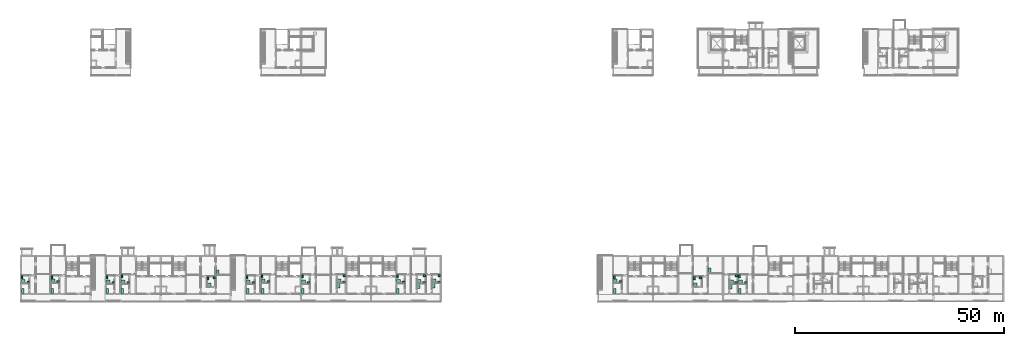
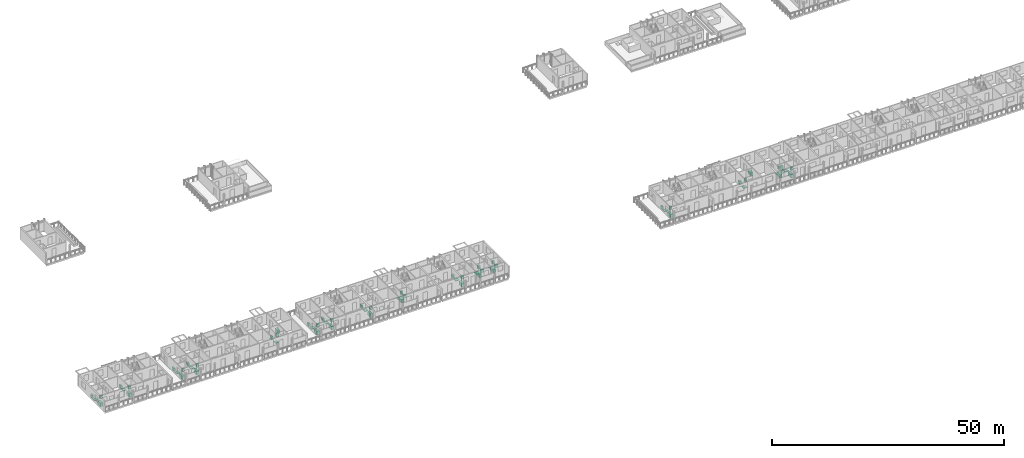
# One storey, part 77 of 78: 64 sanitary terminals.
"""IFC4 building model written with IfcOpenShell, lengths in metres."""

from ifc_helpers import new_model, si_unit, direction, frame, origin, origin_2d, place, context, subcontext, project, spatial, rectangle, extrude, element, save


model = new_model("IFC4")

# Units and contexts
model_context = context("Model", 3, precision=1e-05, world=origin(), true_north=direction((0.0, 1.0)))
body_context = subcontext(model_context, "Body", "Model", "MODEL_VIEW")
ifc_project = project(units=[si_unit("LENGTHUNIT", "METRE"), si_unit("AREAUNIT", "SQUARE_METRE"), si_unit("VOLUMEUNIT", "CUBIC_METRE"), si_unit("PLANEANGLEUNIT", "RADIAN"), si_unit("MASSUNIT", "GRAM", prefix="KILO")], contexts=[model_context])

# Site, building, storey
site_placement = place(None, origin())
site = spatial("IfcSite", under=ifc_project, at=site_placement, CompositionType="ELEMENT")
building_placement = place(site_placement, origin())
building = spatial("IfcBuilding", under=site, at=building_placement, Name="Ridgestep Commons", CompositionType="ELEMENT")
storey_placement = place(building_placement, frame((0.0, 0.0, 30.0)))
storey = spatial("IfcBuildingStorey", under=building, at=storey_placement, Name="L10", CompositionType="ELEMENT", Elevation=30.0)

# Sanitary terminals
sanitary_terminal_1_placement = place(storey_placement, frame((12.60009765625, 16.7099609375, 0.0), z_axis=(0.0, 0.0, 1.0), x_axis=(1.0, 0.0, 0.0)))
element("IfcSanitaryTerminal", 1, at=sanitary_terminal_1_placement, inside=storey, Name="Shower tray A1-10a", PredefinedType="SHOWER", context=body_context, shape_type="SweptSolid", body=[
    extrude(rectangle(XDim=0.89990234375, YDim=0.89990234375, at=origin_2d()), origin(), (0.0, 0.0, 1.0), 0.10009765625),
])
sanitary_terminal_2_placement = place(storey_placement, frame((12.35009765625, 17.699951171875, 0.0), z_axis=(0.0, 0.0, 1.0), x_axis=(1.0, 0.0, 0.0)))
element("IfcSanitaryTerminal", 2, at=sanitary_terminal_2_placement, inside=storey, Name="WC A1-10a", PredefinedType="TOILETPAN", context=body_context, shape_type="SweptSolid", body=[
    extrude(rectangle(XDim=0.39990234375, YDim=0.699951171875, at=origin_2d()), origin(), (0.0, 0.0, 1.0), 0.800048828125),
])
sanitary_terminal_3_placement = place(storey_placement, frame((13.81494140625, 16.485107421875, 0.0), z_axis=(0.0, 0.0, 1.0), x_axis=(1.0, 0.0, 0.0)))
element("IfcSanitaryTerminal", 3, at=sanitary_terminal_3_placement, inside=storey, Name="Basin A1-10a", PredefinedType="WASHHANDBASIN", context=body_context, shape_type="SweptSolid", body=[
    extrude(rectangle(XDim=0.550048828125, YDim=0.449951171875, at=origin_2d()), origin(), (0.0, 0.0, 1.0), 0.85009765625),
])
sanitary_terminal_4_placement = place(storey_placement, frame((12.449951171875, 14.35009765625, 0.0), z_axis=(0.0, 0.0, 1.0), x_axis=(1.0, 0.0, 0.0)))
element("IfcSanitaryTerminal", 4, at=sanitary_terminal_4_placement, inside=storey, Name="Kitchen sink A1-10a", PredefinedType="SINK", context=body_context, shape_type="SweptSolid", body=[
    extrude(rectangle(XDim=0.60009765625, YDim=1.199951171875, at=origin_2d()), origin(), (0.0, 0.0, 1.0), 0.89990234375),
])
sanitary_terminal_5_placement = place(storey_placement, frame((19.75, 16.81005859375, 0.0), z_axis=(0.0, 0.0, 1.0), x_axis=(1.0, 0.0, 0.0)))
element("IfcSanitaryTerminal", 5, at=sanitary_terminal_5_placement, inside=storey, Name="Shower tray A1-10b", PredefinedType="SHOWER", context=body_context, shape_type="SweptSolid", body=[
    extrude(rectangle(XDim=0.89990234375, YDim=0.89990234375, at=origin_2d()), origin(), (0.0, 0.0, 1.0), 0.10009765625),
])
sanitary_terminal_6_placement = place(storey_placement, frame((19.5, 17.699951171875, 0.0), z_axis=(0.0, 0.0, 1.0), x_axis=(1.0, 0.0, 0.0)))
element("IfcSanitaryTerminal", 6, at=sanitary_terminal_6_placement, inside=storey, Name="WC A1-10b", PredefinedType="TOILETPAN", context=body_context, shape_type="SweptSolid", body=[
    extrude(rectangle(XDim=0.39990234375, YDim=0.699951171875, at=origin_2d()), origin(), (0.0, 0.0, 1.0), 0.800048828125),
])
sanitary_terminal_7_placement = place(storey_placement, frame((20.989990234375, 16.5849609375, 0.0), z_axis=(0.0, 0.0, 1.0), x_axis=(1.0, 0.0, 0.0)))
element("IfcSanitaryTerminal", 7, at=sanitary_terminal_7_placement, inside=storey, Name="Basin A1-10b", PredefinedType="WASHHANDBASIN", context=body_context, shape_type="SweptSolid", body=[
    extrude(rectangle(XDim=0.550048828125, YDim=0.449951171875, at=origin_2d()), origin(), (0.0, 0.0, 1.0), 0.85009765625),
])
sanitary_terminal_8_placement = place(storey_placement, frame((19.60009765625, 14.35009765625, 0.0), z_axis=(0.0, 0.0, 1.0), x_axis=(1.0, 0.0, 0.0)))
element("IfcSanitaryTerminal", 8, at=sanitary_terminal_8_placement, inside=storey, Name="Kitchen sink A1-10b", PredefinedType="SINK", context=body_context, shape_type="SweptSolid", body=[
    extrude(rectangle(XDim=0.60009765625, YDim=1.199951171875, at=origin_2d()), origin(), (0.0, 0.0, 1.0), 0.89990234375),
])
sanitary_terminal_9_placement = place(storey_placement, frame((32.949951171875, 16.610107421875, 0.0), z_axis=(0.0, 0.0, 1.0), x_axis=(1.0, 0.0, 0.0)))
element("IfcSanitaryTerminal", 9, at=sanitary_terminal_9_placement, inside=storey, Name="Shower tray A2-10a", PredefinedType="SHOWER", context=body_context, shape_type="SweptSolid", body=[
    extrude(rectangle(XDim=0.89990234375, YDim=0.89990234375, at=origin_2d()), origin(), (0.0, 0.0, 1.0), 0.10009765625),
])
sanitary_terminal_10_placement = place(storey_placement, frame((32.699951171875, 17.699951171875, 0.0), z_axis=(0.0, 0.0, 1.0), x_axis=(1.0, 0.0, 0.0)))
element("IfcSanitaryTerminal", 10, at=sanitary_terminal_10_placement, inside=storey, Name="WC A2-10a", PredefinedType="TOILETPAN", context=body_context, shape_type="SweptSolid", body=[
    extrude(rectangle(XDim=0.39990234375, YDim=0.699951171875, at=origin_2d()), origin(), (0.0, 0.0, 1.0), 0.800048828125),
])
sanitary_terminal_11_placement = place(storey_placement, frame((34.215087890625, 16.385009765625, 0.0), z_axis=(0.0, 0.0, 1.0), x_axis=(1.0, 0.0, 0.0)))
element("IfcSanitaryTerminal", 11, at=sanitary_terminal_11_placement, inside=storey, Name="Basin A2-10a", PredefinedType="WASHHANDBASIN", context=body_context, shape_type="SweptSolid", body=[
    extrude(rectangle(XDim=0.550048828125, YDim=0.449951171875, at=origin_2d()), origin(), (0.0, 0.0, 1.0), 0.85009765625),
])
sanitary_terminal_12_placement = place(storey_placement, frame((32.800048828125, 14.35009765625, 0.0), z_axis=(0.0, 0.0, 1.0), x_axis=(1.0, 0.0, 0.0)))
element("IfcSanitaryTerminal", 12, at=sanitary_terminal_12_placement, inside=storey, Name="Kitchen sink A2-10a", PredefinedType="SINK", context=body_context, shape_type="SweptSolid", body=[
    extrude(rectangle(XDim=0.60009765625, YDim=1.199951171875, at=origin_2d()), origin(), (0.0, 0.0, 1.0), 0.89990234375),
])
sanitary_terminal_13_placement = place(storey_placement, frame((36.550048828125, 16.610107421875, 0.0), z_axis=(0.0, 0.0, 1.0), x_axis=(1.0, 0.0, 0.0)))
element("IfcSanitaryTerminal", 13, at=sanitary_terminal_13_placement, inside=storey, Name="Shower tray A2-10b", PredefinedType="SHOWER", context=body_context, shape_type="SweptSolid", body=[
    extrude(rectangle(XDim=0.89990234375, YDim=0.89990234375, at=origin_2d()), origin(), (0.0, 0.0, 1.0), 0.10009765625),
])
sanitary_terminal_14_placement = place(storey_placement, frame((36.300048828125, 17.89990234375, 0.0), z_axis=(0.0, 0.0, 1.0), x_axis=(1.0, 0.0, 0.0)))
element("IfcSanitaryTerminal", 14, at=sanitary_terminal_14_placement, inside=storey, Name="WC A2-10b", PredefinedType="TOILETPAN", context=body_context, shape_type="SweptSolid", body=[
    extrude(rectangle(XDim=0.39990234375, YDim=0.699951171875, at=origin_2d()), origin(), (0.0, 0.0, 1.0), 0.800048828125),
])
sanitary_terminal_15_placement = place(storey_placement, frame((37.7900390625, 16.385009765625, 0.0), z_axis=(0.0, 0.0, 1.0), x_axis=(1.0, 0.0, 0.0)))
element("IfcSanitaryTerminal", 15, at=sanitary_terminal_15_placement, inside=storey, Name="Basin A2-10b", PredefinedType="WASHHANDBASIN", context=body_context, shape_type="SweptSolid", body=[
    extrude(rectangle(XDim=0.550048828125, YDim=0.449951171875, at=origin_2d()), origin(), (0.0, 0.0, 1.0), 0.85009765625),
])
sanitary_terminal_16_placement = place(storey_placement, frame((36.39990234375, 14.35009765625, 0.0), z_axis=(0.0, 0.0, 1.0), x_axis=(1.0, 0.0, 0.0)))
element("IfcSanitaryTerminal", 16, at=sanitary_terminal_16_placement, inside=storey, Name="Kitchen sink A2-10b", PredefinedType="SINK", context=body_context, shape_type="SweptSolid", body=[
    extrude(rectangle(XDim=0.60009765625, YDim=1.199951171875, at=origin_2d()), origin(), (0.0, 0.0, 1.0), 0.89990234375),
])
sanitary_terminal_17_placement = place(storey_placement, frame((57.159912109375, 15.860107421875, 0.0), z_axis=(0.0, 0.0, 1.0), x_axis=(1.0, 0.0, 0.0)))
element("IfcSanitaryTerminal", 17, at=sanitary_terminal_17_placement, inside=storey, Name="Shower tray A3-10a", PredefinedType="SHOWER", context=body_context, shape_type="SweptSolid", body=[
    extrude(rectangle(XDim=0.89990234375, YDim=0.89990234375, at=origin_2d()), origin(), (0.0, 0.0, 1.0), 0.10009765625),
])
sanitary_terminal_18_placement = place(storey_placement, frame((56.909912109375, 17.4599609375, 0.0), z_axis=(0.0, 0.0, 1.0), x_axis=(1.0, 0.0, 0.0)))
element("IfcSanitaryTerminal", 18, at=sanitary_terminal_18_placement, inside=storey, Name="WC A3-10a", PredefinedType="TOILETPAN", context=body_context, shape_type="SweptSolid", body=[
    extrude(rectangle(XDim=0.39990234375, YDim=0.699951171875, at=origin_2d()), origin(), (0.0, 0.0, 1.0), 0.800048828125),
])
sanitary_terminal_19_placement = place(storey_placement, frame((58.425048828125, 17.5849609375, 0.0), z_axis=(0.0, 0.0, 1.0), x_axis=(1.0, 0.0, 0.0)))
element("IfcSanitaryTerminal", 19, at=sanitary_terminal_19_placement, inside=storey, Name="Basin A3-10a", PredefinedType="WASHHANDBASIN", context=body_context, shape_type="SweptSolid", body=[
    extrude(rectangle(XDim=0.550048828125, YDim=0.449951171875, at=origin_2d()), origin(), (0.0, 0.0, 1.0), 0.85009765625),
])
sanitary_terminal_20_placement = place(storey_placement, frame((59.199951171875, 18.860107421875, 0.0), z_axis=(0.0, 0.0, 1.0), x_axis=(1.0, 0.0, 0.0)))
element("IfcSanitaryTerminal", 20, at=sanitary_terminal_20_placement, inside=storey, Name="Kitchen sink A3-10a", PredefinedType="SINK", context=body_context, shape_type="SweptSolid", body=[
    extrude(rectangle(XDim=0.60009765625, YDim=1.199951171875, at=origin_2d()), origin(), (0.0, 0.0, 1.0), 0.89990234375),
])
sanitary_terminal_21_placement = place(storey_placement, frame((66.550048828125, 16.610107421875, 0.0), z_axis=(0.0, 0.0, 1.0), x_axis=(1.0, 0.0, 0.0)))
element("IfcSanitaryTerminal", 21, at=sanitary_terminal_21_placement, inside=storey, Name="Shower tray A4-10a", PredefinedType="SHOWER", context=body_context, shape_type="SweptSolid", body=[
    extrude(rectangle(XDim=0.89990234375, YDim=0.89990234375, at=origin_2d()), origin(), (0.0, 0.0, 1.0), 0.10009765625),
])
sanitary_terminal_22_placement = place(storey_placement, frame((66.300048828125, 17.699951171875, 0.0), z_axis=(0.0, 0.0, 1.0), x_axis=(1.0, 0.0, 0.0)))
element("IfcSanitaryTerminal", 22, at=sanitary_terminal_22_placement, inside=storey, Name="WC A4-10a", PredefinedType="TOILETPAN", context=body_context, shape_type="SweptSolid", body=[
    extrude(rectangle(XDim=0.39990234375, YDim=0.699951171875, at=origin_2d()), origin(), (0.0, 0.0, 1.0), 0.800048828125),
])
sanitary_terminal_23_placement = place(storey_placement, frame((67.81494140625, 16.385009765625, 0.0), z_axis=(0.0, 0.0, 1.0), x_axis=(1.0, 0.0, 0.0)))
element("IfcSanitaryTerminal", 23, at=sanitary_terminal_23_placement, inside=storey, Name="Basin A4-10a", PredefinedType="WASHHANDBASIN", context=body_context, shape_type="SweptSolid", body=[
    extrude(rectangle(XDim=0.550048828125, YDim=0.449951171875, at=origin_2d()), origin(), (0.0, 0.0, 1.0), 0.85009765625),
])
sanitary_terminal_24_placement = place(storey_placement, frame((66.39990234375, 14.35009765625, 0.0), z_axis=(0.0, 0.0, 1.0), x_axis=(1.0, 0.0, 0.0)))
element("IfcSanitaryTerminal", 24, at=sanitary_terminal_24_placement, inside=storey, Name="Kitchen sink A4-10a", PredefinedType="SINK", context=body_context, shape_type="SweptSolid", body=[
    extrude(rectangle(XDim=0.60009765625, YDim=1.199951171875, at=origin_2d()), origin(), (0.0, 0.0, 1.0), 0.89990234375),
])
sanitary_terminal_25_placement = place(storey_placement, frame((70.14990234375, 16.81005859375, 0.0), z_axis=(0.0, 0.0, 1.0), x_axis=(1.0, 0.0, 0.0)))
element("IfcSanitaryTerminal", 25, at=sanitary_terminal_25_placement, inside=storey, Name="Shower tray A4-10b", PredefinedType="SHOWER", context=body_context, shape_type="SweptSolid", body=[
    extrude(rectangle(XDim=0.89990234375, YDim=0.89990234375, at=origin_2d()), origin(), (0.0, 0.0, 1.0), 0.10009765625),
])
sanitary_terminal_26_placement = place(storey_placement, frame((69.89990234375, 17.89990234375, 0.0), z_axis=(0.0, 0.0, 1.0), x_axis=(1.0, 0.0, 0.0)))
element("IfcSanitaryTerminal", 26, at=sanitary_terminal_26_placement, inside=storey, Name="WC A4-10b", PredefinedType="TOILETPAN", context=body_context, shape_type="SweptSolid", body=[
    extrude(rectangle(XDim=0.39990234375, YDim=0.699951171875, at=origin_2d()), origin(), (0.0, 0.0, 1.0), 0.800048828125),
])
sanitary_terminal_27_placement = place(storey_placement, frame((71.389892578125, 16.5849609375, 0.0), z_axis=(0.0, 0.0, 1.0), x_axis=(1.0, 0.0, 0.0)))
element("IfcSanitaryTerminal", 27, at=sanitary_terminal_27_placement, inside=storey, Name="Basin A4-10b", PredefinedType="WASHHANDBASIN", context=body_context, shape_type="SweptSolid", body=[
    extrude(rectangle(XDim=0.550048828125, YDim=0.449951171875, at=origin_2d()), origin(), (0.0, 0.0, 1.0), 0.85009765625),
])
sanitary_terminal_28_placement = place(storey_placement, frame((70.0, 14.35009765625, 0.0), z_axis=(0.0, 0.0, 1.0), x_axis=(1.0, 0.0, 0.0)))
element("IfcSanitaryTerminal", 28, at=sanitary_terminal_28_placement, inside=storey, Name="Kitchen sink A4-10b", PredefinedType="SINK", context=body_context, shape_type="SweptSolid", body=[
    extrude(rectangle(XDim=0.60009765625, YDim=1.199951171875, at=origin_2d()), origin(), (0.0, 0.0, 1.0), 0.89990234375),
])
sanitary_terminal_29_placement = place(storey_placement, frame((79.800048828125, 16.610107421875, 0.0), z_axis=(0.0, 0.0, 1.0), x_axis=(1.0, 0.0, 0.0)))
element("IfcSanitaryTerminal", 29, at=sanitary_terminal_29_placement, inside=storey, Name="Shower tray A5-10a", PredefinedType="SHOWER", context=body_context, shape_type="SweptSolid", body=[
    extrude(rectangle(XDim=0.89990234375, YDim=0.89990234375, at=origin_2d()), origin(), (0.0, 0.0, 1.0), 0.10009765625),
])
sanitary_terminal_30_placement = place(storey_placement, frame((79.550048828125, 17.89990234375, 0.0), z_axis=(0.0, 0.0, 1.0), x_axis=(1.0, 0.0, 0.0)))
element("IfcSanitaryTerminal", 30, at=sanitary_terminal_30_placement, inside=storey, Name="WC A5-10a", PredefinedType="TOILETPAN", context=body_context, shape_type="SweptSolid", body=[
    extrude(rectangle(XDim=0.39990234375, YDim=0.699951171875, at=origin_2d()), origin(), (0.0, 0.0, 1.0), 0.800048828125),
])
sanitary_terminal_31_placement = place(storey_placement, frame((81.014892578125, 16.385009765625, 0.0), z_axis=(0.0, 0.0, 1.0), x_axis=(1.0, 0.0, 0.0)))
element("IfcSanitaryTerminal", 31, at=sanitary_terminal_31_placement, inside=storey, Name="Basin A5-10a", PredefinedType="WASHHANDBASIN", context=body_context, shape_type="SweptSolid", body=[
    extrude(rectangle(XDim=0.550048828125, YDim=0.449951171875, at=origin_2d()), origin(), (0.0, 0.0, 1.0), 0.85009765625),
])
sanitary_terminal_32_placement = place(storey_placement, frame((79.64990234375, 14.35009765625, 0.0), z_axis=(0.0, 0.0, 1.0), x_axis=(1.0, 0.0, 0.0)))
element("IfcSanitaryTerminal", 32, at=sanitary_terminal_32_placement, inside=storey, Name="Kitchen sink A5-10a", PredefinedType="SINK", context=body_context, shape_type="SweptSolid", body=[
    extrude(rectangle(XDim=0.60009765625, YDim=1.199951171875, at=origin_2d()), origin(), (0.0, 0.0, 1.0), 0.89990234375),
])
sanitary_terminal_33_placement = place(storey_placement, frame((88.360107421875, 16.81005859375, 0.0), z_axis=(0.0, 0.0, 1.0), x_axis=(1.0, 0.0, 0.0)))
element("IfcSanitaryTerminal", 33, at=sanitary_terminal_33_placement, inside=storey, Name="Shower tray A5-10b", PredefinedType="SHOWER", context=body_context, shape_type="SweptSolid", body=[
    extrude(rectangle(XDim=0.89990234375, YDim=0.89990234375, at=origin_2d()), origin(), (0.0, 0.0, 1.0), 0.10009765625),
])
sanitary_terminal_34_placement = place(storey_placement, frame((89.52490234375, 16.56005859375, 0.0), z_axis=(0.0, 0.0, 1.0), x_axis=(1.0, 0.0, 0.0)))
element("IfcSanitaryTerminal", 34, at=sanitary_terminal_34_placement, inside=storey, Name="WC A5-10b", PredefinedType="TOILETPAN", context=body_context, shape_type="SweptSolid", body=[
    extrude(rectangle(XDim=0.699951171875, YDim=0.39990234375, at=origin_2d()), origin(), (0.0, 0.0, 1.0), 0.800048828125),
])
sanitary_terminal_35_placement = place(storey_placement, frame((89.60009765625, 18.02490234375, 0.0), z_axis=(0.0, 0.0, 1.0), x_axis=(1.0, 0.0, 0.0)))
element("IfcSanitaryTerminal", 35, at=sanitary_terminal_35_placement, inside=storey, Name="Basin A5-10b", PredefinedType="WASHHANDBASIN", context=body_context, shape_type="SweptSolid", body=[
    extrude(rectangle(XDim=0.550048828125, YDim=0.449951171875, at=origin_2d()), origin(), (0.0, 0.0, 1.0), 0.85009765625),
])
sanitary_terminal_36_placement = place(storey_placement, frame((88.2099609375, 15.64990234375, 0.0), z_axis=(0.0, 0.0, 1.0), x_axis=(1.0, 0.0, 0.0)))
element("IfcSanitaryTerminal", 36, at=sanitary_terminal_36_placement, inside=storey, Name="Kitchen sink A5-10b", PredefinedType="SINK", context=body_context, shape_type="SweptSolid", body=[
    extrude(rectangle(XDim=0.60009765625, YDim=1.199951171875, at=origin_2d()), origin(), (0.0, 0.0, 1.0), 0.89990234375),
])
sanitary_terminal_37_placement = place(storey_placement, frame((111.159912109375, 16.81005859375, 0.0), z_axis=(0.0, 0.0, 1.0), x_axis=(1.0, 0.0, 0.0)))
element("IfcSanitaryTerminal", 37, at=sanitary_terminal_37_placement, inside=storey, Name="Shower tray A6-10a", PredefinedType="SHOWER", context=body_context, shape_type="SweptSolid", body=[
    extrude(rectangle(XDim=0.89990234375, YDim=0.89990234375, at=origin_2d()), origin(), (0.0, 0.0, 1.0), 0.10009765625),
])
sanitary_terminal_38_placement = place(storey_placement, frame((112.300048828125, 16.56005859375, 0.0), z_axis=(0.0, 0.0, 1.0), x_axis=(1.0, 0.0, 0.0)))
element("IfcSanitaryTerminal", 38, at=sanitary_terminal_38_placement, inside=storey, Name="WC A6-10a", PredefinedType="TOILETPAN", context=body_context, shape_type="SweptSolid", body=[
    extrude(rectangle(XDim=0.699951171875, YDim=0.39990234375, at=origin_2d()), origin(), (0.0, 0.0, 1.0), 0.800048828125),
])
sanitary_terminal_39_placement = place(storey_placement, frame((112.375, 18.02490234375, 0.0), z_axis=(0.0, 0.0, 1.0), x_axis=(1.0, 0.0, 0.0)))
element("IfcSanitaryTerminal", 39, at=sanitary_terminal_39_placement, inside=storey, Name="Basin A6-10a", PredefinedType="WASHHANDBASIN", context=body_context, shape_type="SweptSolid", body=[
    extrude(rectangle(XDim=0.550048828125, YDim=0.449951171875, at=origin_2d()), origin(), (0.0, 0.0, 1.0), 0.85009765625),
])
sanitary_terminal_40_placement = place(storey_placement, frame((111.010009765625, 15.64990234375, 0.0), z_axis=(0.0, 0.0, 1.0), x_axis=(1.0, 0.0, 0.0)))
element("IfcSanitaryTerminal", 40, at=sanitary_terminal_40_placement, inside=storey, Name="Kitchen sink A6-10a", PredefinedType="SINK", context=body_context, shape_type="SweptSolid", body=[
    extrude(rectangle(XDim=0.60009765625, YDim=1.199951171875, at=origin_2d()), origin(), (0.0, 0.0, 1.0), 0.89990234375),
])
sanitary_terminal_41_placement = place(storey_placement, frame((107.56005859375, 16.7099609375, 0.0), z_axis=(0.0, 0.0, 1.0), x_axis=(1.0, 0.0, 0.0)))
element("IfcSanitaryTerminal", 41, at=sanitary_terminal_41_placement, inside=storey, Name="Shower tray A6-10b", PredefinedType="SHOWER", context=body_context, shape_type="SweptSolid", body=[
    extrude(rectangle(XDim=0.89990234375, YDim=0.89990234375, at=origin_2d()), origin(), (0.0, 0.0, 1.0), 0.10009765625),
])
sanitary_terminal_42_placement = place(storey_placement, frame((108.75, 16.4599609375, 0.0), z_axis=(0.0, 0.0, 1.0), x_axis=(1.0, 0.0, 0.0)))
element("IfcSanitaryTerminal", 42, at=sanitary_terminal_42_placement, inside=storey, Name="WC A6-10b", PredefinedType="TOILETPAN", context=body_context, shape_type="SweptSolid", body=[
    extrude(rectangle(XDim=0.699951171875, YDim=0.39990234375, at=origin_2d()), origin(), (0.0, 0.0, 1.0), 0.800048828125),
])
sanitary_terminal_43_placement = place(storey_placement, frame((108.824951171875, 18.02490234375, 0.0), z_axis=(0.0, 0.0, 1.0), x_axis=(1.0, 0.0, 0.0)))
element("IfcSanitaryTerminal", 43, at=sanitary_terminal_43_placement, inside=storey, Name="Basin A6-10b", PredefinedType="WASHHANDBASIN", context=body_context, shape_type="SweptSolid", body=[
    extrude(rectangle(XDim=0.550048828125, YDim=0.449951171875, at=origin_2d()), origin(), (0.0, 0.0, 1.0), 0.85009765625),
])
sanitary_terminal_44_placement = place(storey_placement, frame((107.409912109375, 15.550048828125, 0.0), z_axis=(0.0, 0.0, 1.0), x_axis=(1.0, 0.0, 0.0)))
element("IfcSanitaryTerminal", 44, at=sanitary_terminal_44_placement, inside=storey, Name="Kitchen sink A6-10b", PredefinedType="SINK", context=body_context, shape_type="SweptSolid", body=[
    extrude(rectangle(XDim=0.60009765625, YDim=1.199951171875, at=origin_2d()), origin(), (0.0, 0.0, 1.0), 0.89990234375),
])
sanitary_terminal_45_placement = place(storey_placement, frame((102.574951171875, 16.7099609375, 0.0), z_axis=(0.0, 0.0, 1.0), x_axis=(1.0, 0.0, 0.0)))
element("IfcSanitaryTerminal", 45, at=sanitary_terminal_45_placement, inside=storey, Name="Shower tray A6-10c", PredefinedType="SHOWER", context=body_context, shape_type="SweptSolid", body=[
    extrude(rectangle(XDim=0.89990234375, YDim=0.89990234375, at=origin_2d()), origin(), (0.0, 0.0, 1.0), 0.10009765625),
])
sanitary_terminal_46_placement = place(storey_placement, frame((102.324951171875, 17.89990234375, 0.0), z_axis=(0.0, 0.0, 1.0), x_axis=(1.0, 0.0, 0.0)))
element("IfcSanitaryTerminal", 46, at=sanitary_terminal_46_placement, inside=storey, Name="WC A6-10c", PredefinedType="TOILETPAN", context=body_context, shape_type="SweptSolid", body=[
    extrude(rectangle(XDim=0.39990234375, YDim=0.699951171875, at=origin_2d()), origin(), (0.0, 0.0, 1.0), 0.800048828125),
])
sanitary_terminal_47_placement = place(storey_placement, frame((103.81494140625, 16.485107421875, 0.0), z_axis=(0.0, 0.0, 1.0), x_axis=(1.0, 0.0, 0.0)))
element("IfcSanitaryTerminal", 47, at=sanitary_terminal_47_placement, inside=storey, Name="Basin A6-10c", PredefinedType="WASHHANDBASIN", context=body_context, shape_type="SweptSolid", body=[
    extrude(rectangle(XDim=0.550048828125, YDim=0.449951171875, at=origin_2d()), origin(), (0.0, 0.0, 1.0), 0.85009765625),
])
sanitary_terminal_48_placement = place(storey_placement, frame((102.425048828125, 14.35009765625, 0.0), z_axis=(0.0, 0.0, 1.0), x_axis=(1.0, 0.0, 0.0)))
element("IfcSanitaryTerminal", 48, at=sanitary_terminal_48_placement, inside=storey, Name="Kitchen sink A6-10c", PredefinedType="SINK", context=body_context, shape_type="SweptSolid", body=[
    extrude(rectangle(XDim=0.60009765625, YDim=1.199951171875, at=origin_2d()), origin(), (0.0, 0.0, 1.0), 0.89990234375),
])
sanitary_terminal_49_placement = place(storey_placement, frame((154.550048828125, 16.81005859375, 0.0), z_axis=(0.0, 0.0, 1.0), x_axis=(1.0, 0.0, 0.0)))
element("IfcSanitaryTerminal", 49, at=sanitary_terminal_49_placement, inside=storey, Name="Shower tray D1-10a", PredefinedType="SHOWER", context=body_context, shape_type="SweptSolid", body=[
    extrude(rectangle(XDim=0.89990234375, YDim=0.89990234375, at=origin_2d()), origin(), (0.0, 0.0, 1.0), 0.10009765625),
])
sanitary_terminal_50_placement = place(storey_placement, frame((154.300048828125, 17.699951171875, 0.0), z_axis=(0.0, 0.0, 1.0), x_axis=(1.0, 0.0, 0.0)))
element("IfcSanitaryTerminal", 50, at=sanitary_terminal_50_placement, inside=storey, Name="WC D1-10a", PredefinedType="TOILETPAN", context=body_context, shape_type="SweptSolid", body=[
    extrude(rectangle(XDim=0.39990234375, YDim=0.699951171875, at=origin_2d()), origin(), (0.0, 0.0, 1.0), 0.800048828125),
])
sanitary_terminal_51_placement = place(storey_placement, frame((155.7900390625, 16.5849609375, 0.0), z_axis=(0.0, 0.0, 1.0), x_axis=(1.0, 0.0, 0.0)))
element("IfcSanitaryTerminal", 51, at=sanitary_terminal_51_placement, inside=storey, Name="Basin D1-10a", PredefinedType="WASHHANDBASIN", context=body_context, shape_type="SweptSolid", body=[
    extrude(rectangle(XDim=0.550048828125, YDim=0.449951171875, at=origin_2d()), origin(), (0.0, 0.0, 1.0), 0.85009765625),
])
sanitary_terminal_52_placement = place(storey_placement, frame((154.39990234375, 14.35009765625, 0.0), z_axis=(0.0, 0.0, 1.0), x_axis=(1.0, 0.0, 0.0)))
element("IfcSanitaryTerminal", 52, at=sanitary_terminal_52_placement, inside=storey, Name="Kitchen sink D1-10a", PredefinedType="SINK", context=body_context, shape_type="SweptSolid", body=[
    extrude(rectangle(XDim=0.60009765625, YDim=1.199951171875, at=origin_2d()), origin(), (0.0, 0.0, 1.0), 0.89990234375),
])
sanitary_terminal_53_placement = place(storey_placement, frame((173.75, 15.860107421875, 0.0), z_axis=(0.0, 0.0, 1.0), x_axis=(1.0, 0.0, 0.0)))
element("IfcSanitaryTerminal", 53, at=sanitary_terminal_53_placement, inside=storey, Name="Shower tray D2-10a", PredefinedType="SHOWER", context=body_context, shape_type="SweptSolid", body=[
    extrude(rectangle(XDim=0.89990234375, YDim=0.89990234375, at=origin_2d()), origin(), (0.0, 0.0, 1.0), 0.10009765625),
])
sanitary_terminal_54_placement = place(storey_placement, frame((173.5, 17.4599609375, 0.0), z_axis=(0.0, 0.0, 1.0), x_axis=(1.0, 0.0, 0.0)))
element("IfcSanitaryTerminal", 54, at=sanitary_terminal_54_placement, inside=storey, Name="WC D2-10a", PredefinedType="TOILETPAN", context=body_context, shape_type="SweptSolid", body=[
    extrude(rectangle(XDim=0.39990234375, YDim=0.699951171875, at=origin_2d()), origin(), (0.0, 0.0, 1.0), 0.800048828125),
])
sanitary_terminal_55_placement = place(storey_placement, frame((175.014892578125, 17.5849609375, 0.0), z_axis=(0.0, 0.0, 1.0), x_axis=(1.0, 0.0, 0.0)))
element("IfcSanitaryTerminal", 55, at=sanitary_terminal_55_placement, inside=storey, Name="Basin D2-10a", PredefinedType="WASHHANDBASIN", context=body_context, shape_type="SweptSolid", body=[
    extrude(rectangle(XDim=0.550048828125, YDim=0.449951171875, at=origin_2d()), origin(), (0.0, 0.0, 1.0), 0.85009765625),
])
sanitary_terminal_56_placement = place(storey_placement, frame((177.199951171875, 19.260009765625, 0.0), z_axis=(0.0, 0.0, 1.0), x_axis=(1.0, 0.0, 0.0)))
element("IfcSanitaryTerminal", 56, at=sanitary_terminal_56_placement, inside=storey, Name="Kitchen sink D2-10a", PredefinedType="SINK", context=body_context, shape_type="SweptSolid", body=[
    extrude(rectangle(XDim=0.60009765625, YDim=1.199951171875, at=origin_2d()), origin(), (0.0, 0.0, 1.0), 0.89990234375),
])
sanitary_terminal_57_placement = place(storey_placement, frame((182.409912109375, 16.610107421875, 0.0), z_axis=(0.0, 0.0, 1.0), x_axis=(1.0, 0.0, 0.0)))
element("IfcSanitaryTerminal", 57, at=sanitary_terminal_57_placement, inside=storey, Name="Shower tray D3-10a", PredefinedType="SHOWER", context=body_context, shape_type="SweptSolid", body=[
    extrude(rectangle(XDim=0.89990234375, YDim=0.89990234375, at=origin_2d()), origin(), (0.0, 0.0, 1.0), 0.10009765625),
])
sanitary_terminal_58_placement = place(storey_placement, frame((183.550048828125, 16.360107421875, 0.0), z_axis=(0.0, 0.0, 1.0), x_axis=(1.0, 0.0, 0.0)))
element("IfcSanitaryTerminal", 58, at=sanitary_terminal_58_placement, inside=storey, Name="WC D3-10a", PredefinedType="TOILETPAN", context=body_context, shape_type="SweptSolid", body=[
    extrude(rectangle(XDim=0.699951171875, YDim=0.39990234375, at=origin_2d()), origin(), (0.0, 0.0, 1.0), 0.800048828125),
])
sanitary_terminal_59_placement = place(storey_placement, frame((183.625, 18.02490234375, 0.0), z_axis=(0.0, 0.0, 1.0), x_axis=(1.0, 0.0, 0.0)))
element("IfcSanitaryTerminal", 59, at=sanitary_terminal_59_placement, inside=storey, Name="Basin D3-10a", PredefinedType="WASHHANDBASIN", context=body_context, shape_type="SweptSolid", body=[
    extrude(rectangle(XDim=0.550048828125, YDim=0.449951171875, at=origin_2d()), origin(), (0.0, 0.0, 1.0), 0.85009765625),
])
sanitary_terminal_60_placement = place(storey_placement, frame((182.260009765625, 15.449951171875, 0.0), z_axis=(0.0, 0.0, 1.0), x_axis=(1.0, 0.0, 0.0)))
element("IfcSanitaryTerminal", 60, at=sanitary_terminal_60_placement, inside=storey, Name="Kitchen sink D3-10a", PredefinedType="SINK", context=body_context, shape_type="SweptSolid", body=[
    extrude(rectangle(XDim=0.60009765625, YDim=1.199951171875, at=origin_2d()), origin(), (0.0, 0.0, 1.0), 0.89990234375),
])
sanitary_terminal_61_placement = place(storey_placement, frame((184.550048828125, 16.610107421875, 0.0), z_axis=(0.0, 0.0, 1.0), x_axis=(1.0, 0.0, 0.0)))
element("IfcSanitaryTerminal", 61, at=sanitary_terminal_61_placement, inside=storey, Name="Shower tray D3-10b", PredefinedType="SHOWER", context=body_context, shape_type="SweptSolid", body=[
    extrude(rectangle(XDim=0.89990234375, YDim=0.89990234375, at=origin_2d()), origin(), (0.0, 0.0, 1.0), 0.10009765625),
])
sanitary_terminal_62_placement = place(storey_placement, frame((184.300048828125, 17.89990234375, 0.0), z_axis=(0.0, 0.0, 1.0), x_axis=(1.0, 0.0, 0.0)))
element("IfcSanitaryTerminal", 62, at=sanitary_terminal_62_placement, inside=storey, Name="WC D3-10b", PredefinedType="TOILETPAN", context=body_context, shape_type="SweptSolid", body=[
    extrude(rectangle(XDim=0.39990234375, YDim=0.699951171875, at=origin_2d()), origin(), (0.0, 0.0, 1.0), 0.800048828125),
])
sanitary_terminal_63_placement = place(storey_placement, frame((185.81494140625, 16.385009765625, 0.0), z_axis=(0.0, 0.0, 1.0), x_axis=(1.0, 0.0, 0.0)))
element("IfcSanitaryTerminal", 63, at=sanitary_terminal_63_placement, inside=storey, Name="Basin D3-10b", PredefinedType="WASHHANDBASIN", context=body_context, shape_type="SweptSolid", body=[
    extrude(rectangle(XDim=0.550048828125, YDim=0.449951171875, at=origin_2d()), origin(), (0.0, 0.0, 1.0), 0.85009765625),
])
sanitary_terminal_64_placement = place(storey_placement, frame((184.39990234375, 14.35009765625, 0.0), z_axis=(0.0, 0.0, 1.0), x_axis=(1.0, 0.0, 0.0)))
element("IfcSanitaryTerminal", 64, at=sanitary_terminal_64_placement, inside=storey, Name="Kitchen sink D3-10b", PredefinedType="SINK", context=body_context, shape_type="SweptSolid", body=[
    extrude(rectangle(XDim=0.60009765625, YDim=1.199951171875, at=origin_2d()), origin(), (0.0, 0.0, 1.0), 0.89990234375),
])

save(model, "model.ifc")
